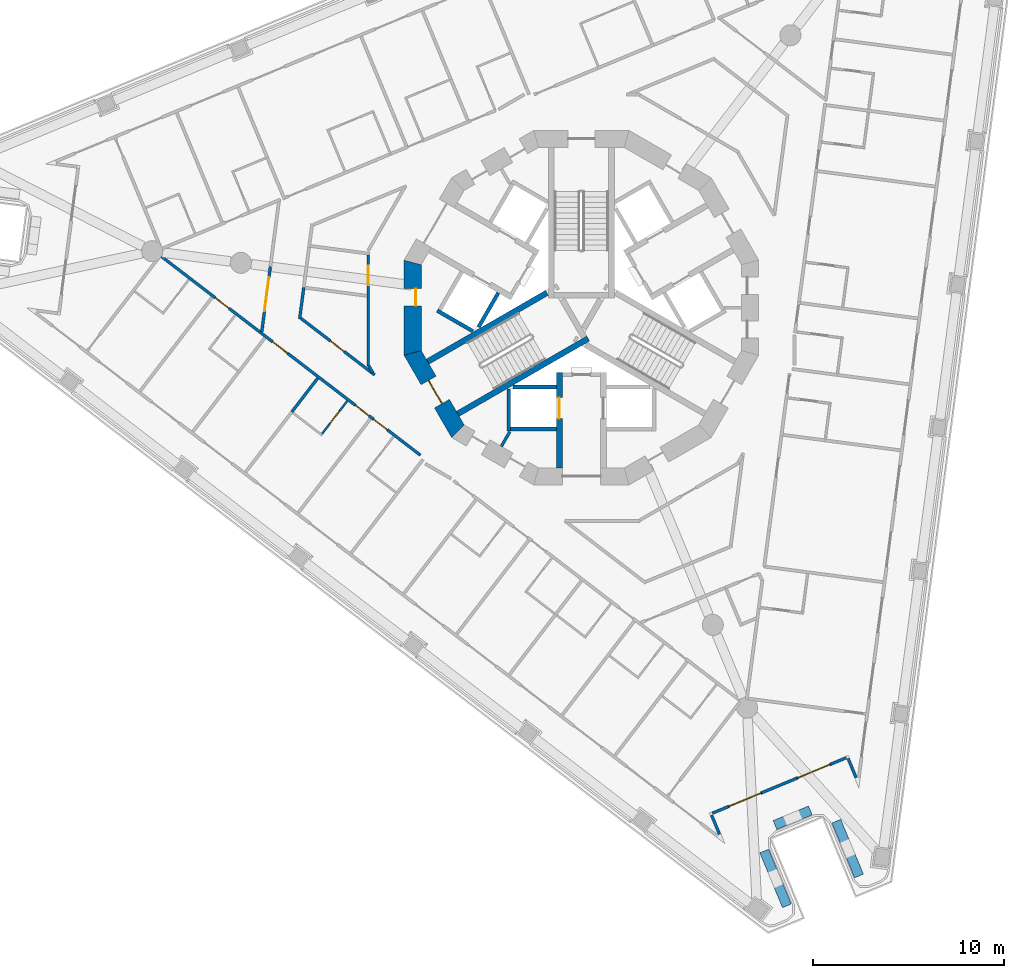
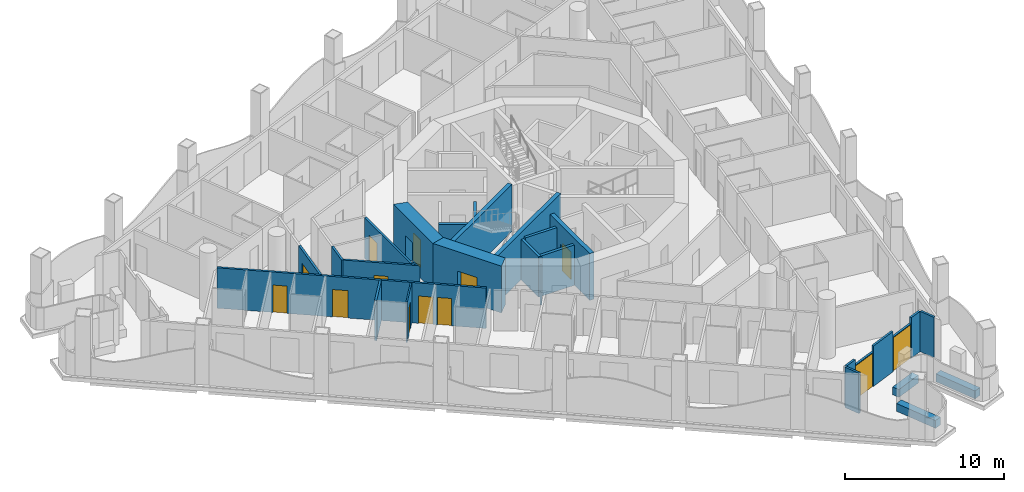
# One storey, part 3 of 17: 29 walls, 13 doors, 13 openings.
"""IFC4 building model written with IfcOpenShell, lengths in metres."""

from ifc_helpers import new_model, si_unit, direction, frame, frame_2d, origin, place, context, subcontext, project, spatial, polyline, rectangle, outline, extrude, material, layer, layer_set, type_object, element, fill, save


model = new_model("IFC4")

# Units and contexts
model_context = context("Model", 3, precision=1e-05, world=origin(), true_north=direction((0.0, 1.0)))
body_context = subcontext(model_context, "Body", "Model", "MODEL_VIEW")
ifc_project = project(units=[si_unit("LENGTHUNIT", "METRE"), si_unit("AREAUNIT", "SQUARE_METRE"), si_unit("VOLUMEUNIT", "CUBIC_METRE"), si_unit("PLANEANGLEUNIT", "RADIAN"), si_unit("MASSUNIT", "GRAM", prefix="KILO")], contexts=[model_context])

# Site, building, storey
site_placement = place(None, origin())
site = spatial("IfcSite", under=ifc_project, at=site_placement, CompositionType="ELEMENT")
building_placement = place(site_placement, origin())
building = spatial("IfcBuilding", under=site, at=building_placement, Name="Trine Commons Tower", CompositionType="ELEMENT")
storey_placement = place(building_placement, frame((0.0, 0.0, 153.0)))
storey = spatial("IfcBuildingStorey", under=building, at=storey_placement, Name="L39", CompositionType="ELEMENT", Elevation=153.0)

# Walls
ifc_material_1 = material(Name="Plasterboard partition on steel studs", Category="steel")
ifc_layer_1 = layer(ifc_material_1, 0.14990234375)
ifc_layer_set_1 = layer_set([ifc_layer_1], Name="Plasterboard partition on steel studs")
wall_type_1 = type_object("IfcWallType", Name="Core room partition 150 mm, EI 60", PredefinedType="PARTITIONING", material=ifc_layer_set_1)
wall_1_placement = place(storey_placement, frame((75.81396484375, 55.2490234375, 0.0), z_axis=(0.0, 0.0, 1.0), x_axis=(0.499890179513, 0.866088799389, 0.0)))
element("IfcWall", 1, at=wall_1_placement, inside=storey, type_object=wall_type_1, Name="Core room partition L39", PredefinedType="PARTITIONING", context=body_context, shape_type="SweptSolid", body=[
    extrude(rectangle(XDim=0.882080078125, YDim=0.14990234375, at=frame_2d((0.44091796875, 0.0))), origin(), (0.0, 0.0, 1.0), 3.10009765625),
])
ifc_material_2 = material(Name="Aluminium-framed insulated wall panel", Category="aluminium")
ifc_layer_2 = layer(ifc_material_2, 0.14990234375)
ifc_layer_set_2 = layer_set([ifc_layer_2], Name="Aluminium-framed insulated wall panel")
wall_type_2 = type_object("IfcWallType", Name="Glazed frame wall 150, EI 60", PredefinedType="SOLIDWALL", material=ifc_layer_set_2)
wall_2_placement = place(storey_placement, frame((94.42041015625, 37.78564453125, 0.0), z_axis=(0.0, 0.0, 1.0), x_axis=(-0.382629665579, 0.923901801611, 0.0)))
element("IfcWall", 2, at=wall_2_placement, inside=storey, type_object=wall_type_2, Name="Glazed frame wall R9", PredefinedType="SOLIDWALL", context=body_context, shape_type="SweptSolid", body=[
    extrude(outline(polyline([(0.1494140625, 0.074951171875), (0.1494140625, -0.074951171875), (1.235107421875, -0.074951171875), (1.235107421875, 0.074951171875), (0.1494140625, 0.074951171875)])), origin(), (0.0, 0.0, 1.0), 3.10009765625),
])
wall_3_placement = place(storey_placement, frame((93.951416015625, 39.009521484375, 0.0), z_axis=(0.0, 0.0, 1.0), x_axis=(-0.923826362943, -0.382811769845, 0.0)))
element("IfcWall", 3, at=wall_3_placement, inside=storey, type_object=wall_type_2, Name="Glazed frame wall P3.1", PredefinedType="SOLIDWALL", context=body_context, shape_type="SweptSolid", body=[
    extrude(outline(polyline([(0.110107421875, -0.074951171875), (1.0, -0.074951171875), (1.0, 0.074951171875), (0.110107421875, 0.074951171875), (0.110107421875, -0.074951171875)])), origin(), (0.0, 0.0, 1.0), 3.10009765625),
])

# Wall, opening, door
wall_4_placement = place(storey_placement, frame((93.027587890625, 38.626708984375, 0.0), z_axis=(0.0, 0.0, 1.0), x_axis=(-0.923888414498, -0.382661988648, 0.0)))
wall_4 = element("IfcWall", 4, at=wall_4_placement, inside=storey, type_object=wall_type_2, Name="Glazed frame wall P3.2", PredefinedType="SOLIDWALL", context=body_context, shape_type="SweptSolid", body=[
    extrude(outline(polyline([(0.0, -0.074951171875), (1.89990234375, -0.074951171875), (1.89990234375, 0.074951171875), (0.0, 0.074951171875), (0.0, -0.074951171875)])), origin(), (0.0, 0.0, 1.0), 2.64990234375),
])
opening_1_placement = place(wall_4_placement, frame((0.050048828125, 0.0, 0.0)))
opening_1 = element("IfcOpeningElement", 5, at=opening_1_placement, cuts=wall_4, Name="Opening BD-4P3-01", PredefinedType="OPENING", context=body_context, shape_type="SweptSolid", body=[
    extrude(rectangle(XDim=1.800048828125, YDim=2.60009765625, at=frame_2d((0.89990234375, 1.300048828125))), frame((0.0, 0.0849609375, 0.0), z_axis=(0.0, -1.0, 0.0), x_axis=(1.0, 0.0, 0.0)), (0.0, 0.0, 1.0), 0.169921875),
])
ifc_material_3 = material(Name="Anodised aluminium frame with double glazing", Category="aluminium")
door_type_1 = type_object("IfcDoorType", Name="Sliding loggia door 1800x2600", OperationType="SLIDING_TO_LEFT", PredefinedType="DOOR", material=ifc_material_3)
door_1_placement = place(opening_1_placement, origin())
door_1 = element("IfcDoor", 6, at=door_1_placement, inside=storey, type_object=door_type_1, Name="Loggia door P3 1", OperationType="SLIDING_TO_LEFT", OverallHeight=2.60009765625, OverallWidth=1.800048828125, PredefinedType="DOOR", context=body_context, shape_type="SweptSolid", body=[
    extrude(rectangle(XDim=1.800048828125, YDim=2.60009765625, at=frame_2d((0.89990234375, 1.300048828125))), frame((0.0, 0.02490234375, 0.0), z_axis=(0.0, -1.0, 0.0), x_axis=(1.0, 0.0, 0.0)), (0.0, 0.0, 1.0), 0.050048828125),
])
fill(opening_1, door_1)

# Wall
wall_5_placement = place(storey_placement, frame((91.272216796875, 37.899658203125, 0.0), z_axis=(0.0, 0.0, 1.0), x_axis=(-0.923887406181, -0.382664423091, 0.0)))
element("IfcWall", 7, at=wall_5_placement, inside=storey, type_object=wall_type_2, Name="Glazed frame wall P3.3", PredefinedType="SOLIDWALL", context=body_context, shape_type="SweptSolid", body=[
    extrude(outline(polyline([(0.0, -0.074951171875), (2.0, -0.074951171875), (2.0, 0.074951171875), (0.0, 0.074951171875), (0.0, -0.074951171875)])), origin(), (0.0, 0.0, 1.0), 3.10009765625),
])

# Wall, opening, door
wall_6_placement = place(storey_placement, frame((89.42431640625, 37.13427734375, 0.0), z_axis=(0.0, 0.0, 1.0), x_axis=(-0.923869595408, -0.382707421773, 0.0)))
wall_6 = element("IfcWall", 8, at=wall_6_placement, inside=storey, type_object=wall_type_2, Name="Glazed frame wall P3.4", PredefinedType="SOLIDWALL", context=body_context, shape_type="SweptSolid", body=[
    extrude(outline(polyline([(0.0, -0.074951171875), (1.89990234375, -0.074951171875), (1.89990234375, 0.074951171875), (0.0, 0.074951171875), (0.0, -0.074951171875)])), origin(), (0.0, 0.0, 1.0), 2.64990234375),
])
opening_2_placement = place(wall_6_placement, frame((0.050048828125, 0.0, 0.0)))
opening_2 = element("IfcOpeningElement", 9, at=opening_2_placement, cuts=wall_6, Name="Opening BD-4P3-02", PredefinedType="OPENING", context=body_context, shape_type="SweptSolid", body=[
    extrude(rectangle(XDim=1.800048828125, YDim=2.60009765625, at=frame_2d((0.89990234375, 1.300048828125))), frame((0.0, 0.0849609375, 0.0), z_axis=(0.0, -1.0, 0.0), x_axis=(1.0, 0.0, 0.0)), (0.0, 0.0, 1.0), 0.169921875),
])
door_2_placement = place(opening_2_placement, origin())
door_2 = element("IfcDoor", 10, at=door_2_placement, inside=storey, type_object=door_type_1, Name="Loggia door P3 2", OperationType="SLIDING_TO_LEFT", OverallHeight=2.60009765625, OverallWidth=1.800048828125, PredefinedType="DOOR", context=body_context, shape_type="SweptSolid", body=[
    extrude(rectangle(XDim=1.800048828125, YDim=2.60009765625, at=frame_2d((0.89990234375, 1.300048828125))), frame((0.0, 0.02490234375, 0.0), z_axis=(0.0, -1.0, 0.0), x_axis=(1.0, 0.0, 0.0)), (0.0, 0.0, 1.0), 0.050048828125),
])
fill(opening_2, door_2)

# Walls
wall_7_placement = place(storey_placement, frame((87.669189453125, 36.4072265625, 0.0), z_axis=(0.0, 0.0, 1.0), x_axis=(-0.923862128325, -0.382725447084, 0.0)))
element("IfcWall", 11, at=wall_7_placement, inside=storey, type_object=wall_type_2, Name="Glazed frame wall P3.5", PredefinedType="SOLIDWALL", context=body_context, shape_type="SweptSolid", body=[
    extrude(outline(polyline([(0.889892578125, 0.074951171875), (0.0, 0.074951171875), (0.0, -0.074951171875), (0.889892578125, -0.074951171875), (0.889892578125, 0.074951171875)])), origin(), (0.0, 0.0, 1.0), 3.10009765625),
])
wall_8_placement = place(storey_placement, frame((86.76416015625, 36.0703125, 0.0), z_axis=(0.0, 0.0, 1.0), x_axis=(0.382629665579, -0.923901801611, 0.0)))
element("IfcWall", 12, at=wall_8_placement, inside=storey, type_object=wall_type_2, Name="Glazed frame wall R11", PredefinedType="SOLIDWALL", context=body_context, shape_type="SweptSolid", body=[
    extrude(outline(polyline([(0.110107421875, 0.074951171875), (0.110107421875, -0.074951171875), (1.19580078125, -0.074951171875), (1.19580078125, 0.074951171875), (0.110107421875, 0.074951171875)])), origin(), (0.0, 0.0, 1.0), 3.10009765625),
])
ifc_material_4 = material(Name="Planter trough, precast concrete C40/50", Category="concrete")
ifc_layer_3 = layer(ifc_material_4, 0.5)
ifc_layer_set_3 = layer_set([ifc_layer_3], Name="Planter trough, precast concrete C40/50")
wall_type_3 = type_object("IfcWallType", Name="Planter trough 500x600", PredefinedType="PARAPET", material=ifc_layer_set_3)
wall_9_placement = place(storey_placement, frame((94.515625, 32.78662109375, 0.0), z_axis=(0.0, 0.0, 1.0), x_axis=(-0.382674068277, 0.923883411188, 0.0)))
element("IfcWall", 13, at=wall_9_placement, inside=storey, type_object=wall_type_3, Name="Planter 7", PredefinedType="PARAPET", context=body_context, shape_type="SweptSolid", body=[
    extrude(rectangle(XDim=3.099853515625, YDim=0.5, at=frame_2d((1.5498046875, 0.0))), origin(), (0.0, 0.0, 1.0), 0.60009765625),
])
wall_10_placement = place(storey_placement, frame((91.970703125, 36.21337890625, 0.0), z_axis=(0.0, 0.0, 1.0), x_axis=(-0.923930555985, -0.382560227567, 0.0)))
element("IfcWall", 14, at=wall_10_placement, inside=storey, type_object=wall_type_3, Name="Planter 8", PredefinedType="PARAPET", context=body_context, shape_type="SweptSolid", body=[
    extrude(rectangle(XDim=2.0, YDim=0.5, at=frame_2d((1.0, 0.0))), origin(), (0.0, 0.0, 1.0), 0.60009765625),
])
wall_11_placement = place(storey_placement, frame((89.56005859375, 34.08935546875, 0.0), z_axis=(0.0, 0.0, 1.0), x_axis=(0.382674068277, -0.923883411188, 0.0)))
element("IfcWall", 15, at=wall_11_placement, inside=storey, type_object=wall_type_3, Name="Planter 9", PredefinedType="PARAPET", context=body_context, shape_type="SweptSolid", body=[
    extrude(rectangle(XDim=3.099853515625, YDim=0.5, at=frame_2d((1.5498046875, 0.0))), origin(), (0.0, 0.0, 1.0), 0.60009765625),
])

# Wall, opening, door
ifc_material_5 = material(Name="Concrete C70/85", Category="concrete")
ifc_layer_4 = layer(ifc_material_5, 0.300048828125)
ifc_layer_set_4 = layer_set([ifc_layer_4], Name="Concrete C70/85")
wall_type_4 = type_object("IfcWallType", Name="RC shear wall 300 mm, C70/85", PredefinedType="SHEAR", material=ifc_layer_set_4)
wall_12_placement = place(storey_placement, frame((78.85009765625, 59.10009765625, 0.0), z_axis=(0.0, 0.0, 1.0), x_axis=(0.0, -1.0, 0.0)))
wall_12 = element("IfcWall", 16, at=wall_12_placement, inside=storey, type_object=wall_type_4, Name="Core cross wall SWB-03 L39", PredefinedType="SHEAR", context=body_context, shape_type="SweptSolid", body=[
    extrude(rectangle(XDim=4.97314453125, YDim=0.300048828125, at=frame_2d((2.486572265625, 0.0))), origin(), (0.0, 0.0, 1.0), 3.60009765625),
])
opening_3_placement = place(wall_12_placement, frame((1.300048828125, 0.0, 0.0)))
opening_3 = element("IfcOpeningElement", 17, at=opening_3_placement, cuts=wall_12, Name="Opening LD10", PredefinedType="OPENING", context=body_context, shape_type="SweptSolid", body=[
    extrude(rectangle(XDim=1.10009765625, YDim=2.10009765625, at=frame_2d((0.550048828125, 1.050048828125))), frame((0.0, 0.159912109375, 0.0), z_axis=(0.0, -1.0, 0.0), x_axis=(1.0, 0.0, 0.0)), (0.0, 0.0, 1.0), 0.320068359375),
])
ifc_material_6 = material(Name="Stainless steel sliding door leaves", Category="steel")
door_type_2 = type_object("IfcDoorType", Name="Lift landing door, centre-opening sliding 1100 x 2100, FD90", OperationType="DOUBLE_DOOR_SLIDING", PredefinedType="DOOR", material=ifc_material_6)
door_3_placement = place(opening_3_placement, origin())
door_3 = element("IfcDoor", 18, at=door_3_placement, inside=storey, type_object=door_type_2, Name="Lift landing door FF2 L39", OperationType="DOUBLE_DOOR_SLIDING", OverallHeight=2.10009765625, OverallWidth=1.10009765625, PredefinedType="DOOR", context=body_context, shape_type="SweptSolid", body=[
    extrude(rectangle(XDim=1.10009765625, YDim=2.10009765625, at=frame_2d((0.550048828125, 1.050048828125))), frame((0.0, 0.02490234375, 0.0), z_axis=(0.0, -1.0, 0.0), x_axis=(1.0, 0.0, 0.0)), (0.0, 0.0, 1.0), 0.050048828125),
])
fill(opening_3, door_3)

# Walls
wall_13_placement = place(storey_placement, frame((78.199951171875, 63.280029296875, 0.0), z_axis=(0.0, 0.0, 1.0), x_axis=(-0.866028135082, -0.499995269223, 0.0)))
element("IfcWall", 19, at=wall_13_placement, inside=storey, type_object=wall_type_4, Name="Core cross wall SWB-07 L39", PredefinedType="SHEAR", context=body_context, shape_type="SweptSolid", body=[
    extrude(rectangle(XDim=7.2041015625, YDim=0.300048828125, at=frame_2d((3.60205078125, 0.0))), origin(), (0.0, 0.0, 1.0), 3.60009765625),
])
wall_14_placement = place(storey_placement, frame((80.35400390625, 60.885986328125, 0.0), z_axis=(0.0, 0.0, 1.0), x_axis=(-0.866047706748, -0.499961368145, 0.0)))
element("IfcWall", 20, at=wall_14_placement, inside=storey, type_object=wall_type_4, Name="Core cross wall SWB-14 L39", PredefinedType="SHEAR", context=body_context, shape_type="SweptSolid", body=[
    extrude(rectangle(XDim=7.87255859375, YDim=0.300048828125, at=frame_2d((3.936279296875, 0.0))), origin(), (0.0, 0.0, 1.0), 3.60009765625),
])

# Wall, opening, door
ifc_layer_5 = layer(ifc_material_5, 0.89990234375)
ifc_layer_set_5 = layer_set([ifc_layer_5], Name="Concrete C70/85")
wall_type_5 = type_object("IfcWallType", Name="RC shear wall 900 mm, C70/85", PredefinedType="SHEAR", material=ifc_layer_set_5)
wall_15_placement = place(storey_placement, frame((71.177001953125, 64.984619140625, 0.0), z_axis=(0.0, 0.0, 1.0), x_axis=(0.0, -1.0, 0.0)))
wall_15 = element("IfcWall", 21, at=wall_15_placement, inside=storey, type_object=wall_type_5, Name="Core wall CWD-07 L39", PredefinedType="SHEAR", context=body_context, shape_type="SweptSolid", body=[
    extrude(outline(polyline([(0.0, -0.449951171875), (4.969482421875, -0.449951171875), (4.728271484375, 0.449951171875), (0.2412109375, 0.449951171875), (0.0, -0.449951171875)])), origin(), (0.0, 0.0, 1.0), 3.60009765625),
])
opening_4_placement = place(wall_15_placement, frame((1.49365234375, 0.0, 0.0)))
opening_4 = element("IfcOpeningElement", 22, at=opening_4_placement, cuts=wall_15, Name="Opening K10.15", PredefinedType="OPENING", context=body_context, shape_type="SweptSolid", body=[
    extrude(rectangle(XDim=0.89990234375, YDim=2.10009765625, at=frame_2d((0.449951171875, 1.050048828125))), frame((0.0, 0.4599609375, 0.0), z_axis=(0.0, -1.0, 0.0), x_axis=(1.0, 0.0, 0.0)), (0.0, 0.0, 1.0), 0.919921875),
])
ifc_material_7 = material(Name="Steel door leaf, fire-rated", Category="steel")
door_type_3 = type_object("IfcDoorType", Name="Core room door, single leaf 900 x 2100, FD30S", OperationType="SINGLE_SWING_LEFT", PredefinedType="DOOR", material=ifc_material_7)
door_4_placement = place(opening_4_placement, origin())
door_4 = element("IfcDoor", 23, at=door_4_placement, inside=storey, type_object=door_type_3, Name="Door to Cleaner's store L39", OperationType="SINGLE_SWING_LEFT", OverallHeight=2.10009765625, OverallWidth=0.89990234375, PredefinedType="DOOR", context=body_context, shape_type="SweptSolid", body=[
    extrude(rectangle(XDim=0.89990234375, YDim=2.10009765625, at=frame_2d((0.449951171875, 1.050048828125))), frame((0.0, 0.1748046875, 0.0), z_axis=(0.0, -1.0, 0.0), x_axis=(1.0, 0.0, 0.0)), (0.0, 0.0, 1.0), 0.050048828125),
])
fill(opening_4, door_4)

wall_16_placement = place(storey_placement, frame((71.11669921875, 60.240234375, 0.0), z_axis=(0.0, 0.0, 1.0), x_axis=(0.500038571144, -0.866003133579, 0.0)))
wall_16 = element("IfcWall", 24, at=wall_16_placement, inside=storey, type_object=wall_type_5, Name="Core wall CWD-08 L39", PredefinedType="SHEAR", context=body_context, shape_type="SweptSolid", body=[
    extrude(outline(polyline([(0.0, -0.449951171875), (4.96923828125, -0.449951171875), (4.72802734375, 0.449951171875), (0.2412109375, 0.449951171875), (0.0, -0.449951171875)])), origin(), (0.0, 0.0, 1.0), 3.60009765625),
])
opening_5_placement = place(wall_16_placement, frame((1.78466796875, 0.0, 0.0)))
opening_5 = element("IfcOpeningElement", 25, at=opening_5_placement, cuts=wall_16, Name="Opening K10.02", PredefinedType="OPENING", context=body_context, shape_type="SweptSolid", body=[
    extrude(rectangle(XDim=1.39990234375, YDim=2.10009765625, at=frame_2d((0.699951171875, 1.050048828125))), frame((0.0, 0.4599609375, 0.0), z_axis=(0.0, -1.0, 0.0), x_axis=(1.0, 0.0, 0.0)), (0.0, 0.0, 1.0), 0.919921875),
])
ifc_material_8 = material(Name="Steel door leaves, fire-rated", Category="steel")
door_type_4 = type_object("IfcDoorType", Name="Stair door, double leaf 1400 x 2100, FD90", OperationType="DOUBLE_DOOR_SINGLE_SWING", PredefinedType="DOOR", material=ifc_material_8)
door_5_placement = place(opening_5_placement, origin())
door_5 = element("IfcDoor", 26, at=door_5_placement, inside=storey, type_object=door_type_4, Name="Stair door to Exit stair ST2B L39", OperationType="DOUBLE_DOOR_SINGLE_SWING", OverallHeight=2.10009765625, OverallWidth=1.39990234375, PredefinedType="DOOR", context=body_context, shape_type="SweptSolid", body=[
    extrude(rectangle(XDim=1.39990234375, YDim=2.10009765625, at=frame_2d((0.699951171875, 1.050048828125))), frame((0.0, 0.02490234375, 0.0), z_axis=(0.0, -1.0, 0.0), x_axis=(1.0, 0.0, 0.0)), (0.0, 0.0, 1.0), 0.050048828125),
])
fill(opening_5, door_5)

# Walls
ifc_material_9 = material(Name="Fire-rated gypsum shaft wall system")
ifc_layer_6 = layer(ifc_material_9, 0.199951171875)
ifc_layer_set_6 = layer_set([ifc_layer_6], Name="Fire-rated gypsum shaft wall system")
wall_type_6 = type_object("IfcWallType", Name="Shaft wall 200 mm, EI 120", PredefinedType="PARTITIONING", material=ifc_layer_set_6)
wall_17_placement = place(storey_placement, frame((74.324951171875, 61.27392578125, 0.0), z_axis=(0.0, 0.0, 1.0), x_axis=(-0.866102336459, 0.499866725018, 0.0)))
element("IfcWall", 27, at=wall_17_placement, inside=storey, type_object=wall_type_6, Name="Shaft wall L39", PredefinedType="PARTITIONING", context=body_context, shape_type="SweptSolid", body=[
    extrude(rectangle(XDim=2.1484375, YDim=0.199951171875, at=frame_2d((1.07421875, 0.0))), origin(), (0.0, 0.0, 1.0), 3.10009765625),
])
wall_18_placement = place(storey_placement, frame((75.656005859375, 63.27587890625, 0.0), z_axis=(0.0, 0.0, 1.0), x_axis=(-0.500271688072, -0.86586848777, 0.0)))
element("IfcWall", 28, at=wall_18_placement, inside=storey, type_object=wall_type_6, Name="Shaft wall L39", PredefinedType="PARTITIONING", context=body_context, shape_type="SweptSolid", body=[
    extrude(rectangle(XDim=2.064697265625, YDim=0.199951171875, at=frame_2d((1.0322265625, 0.0))), origin(), (0.0, 0.0, 1.0), 3.10009765625),
])
wall_19_placement = place(storey_placement, frame((76.199951171875, 58.257080078125, 0.0), z_axis=(0.0, 0.0, 1.0), x_axis=(0.0, -1.0, 0.0)))
element("IfcWall", 29, at=wall_19_placement, inside=storey, type_object=wall_type_6, Name="Shaft wall L39", PredefinedType="PARTITIONING", context=body_context, shape_type="SweptSolid", body=[
    extrude(rectangle(XDim=2.20703125, YDim=0.199951171875, at=frame_2d((1.103515625, 0.0))), origin(), (0.0, 0.0, 1.0), 3.10009765625),
])
wall_20_placement = place(storey_placement, frame((78.699951171875, 56.14990234375, 0.0), z_axis=(0.0, 0.0, 1.0), x_axis=(-1.0, 0.0, 0.0)))
element("IfcWall", 30, at=wall_20_placement, inside=storey, type_object=wall_type_6, Name="Shaft wall L39", PredefinedType="PARTITIONING", context=body_context, shape_type="SweptSolid", body=[
    extrude(rectangle(XDim=2.39990234375, YDim=0.199951171875, at=frame_2d((1.199951171875, 0.0))), origin(), (0.0, 0.0, 1.0), 3.10009765625),
])
wall_21_placement = place(storey_placement, frame((78.699951171875, 58.35009765625, 0.0), z_axis=(0.0, 0.0, 1.0), x_axis=(-1.0, 0.0, 0.0)))
element("IfcWall", 31, at=wall_21_placement, inside=storey, type_object=wall_type_6, Name="Shaft wall L39", PredefinedType="PARTITIONING", context=body_context, shape_type="SweptSolid", body=[
    extrude(rectangle(XDim=2.264892578125, YDim=0.199951171875, at=frame_2d((1.13232421875, 0.0))), origin(), (0.0, 0.0, 1.0), 3.10009765625),
])

# Wall, openings, doors
ifc_material_10 = material(Name="Gypsum plasterboard on steel stud", Category="steel")
ifc_layer_7 = layer(ifc_material_10, 0.14990234375)
ifc_layer_set_7 = layer_set([ifc_layer_7], Name="Gypsum plasterboard on steel stud")
wall_type_7 = type_object("IfcWallType", Name="Unit and corridor wall 150 mm, EI 60", PredefinedType="PARTITIONING", material=ifc_layer_set_7)
wall_22_placement = place(storey_placement, frame((58.04150390625, 65.17626953125, 0.0), z_axis=(0.0, 0.0, 1.0), x_axis=(0.793390311924, -0.608713243609, 0.0)))
wall_22 = element("IfcWall", 32, at=wall_22_placement, inside=storey, type_object=wall_type_7, Name="Partition 006", PredefinedType="PARTITIONING", context=body_context, shape_type="SweptSolid", body=[
    extrude(rectangle(XDim=17.064208984375, YDim=0.14990234375, at=frame_2d((8.5322265625, 0.0))), origin(), (0.0, 0.0, 1.0), 3.10009765625),
])
opening_6_placement = place(wall_22_placement, frame((13.98388671875, 0.0, 0.0)))
opening_6 = element("IfcOpeningElement", 33, at=opening_6_placement, cuts=wall_22, Name="Opening D-4C28", PredefinedType="OPENING", context=body_context, shape_type="SweptSolid", body=[
    extrude(rectangle(XDim=0.89990234375, YDim=2.10009765625, at=frame_2d((0.449951171875, 1.050048828125))), frame((0.0, 0.0849609375, 0.0), z_axis=(0.0, -1.0, 0.0), x_axis=(1.0, 0.0, 0.0)), (0.0, 0.0, 1.0), 0.169921875),
])
opening_7_placement = place(wall_22_placement, frame((12.7841796875, 0.0, 0.0)))
opening_7 = element("IfcOpeningElement", 34, at=opening_7_placement, cuts=wall_22, Name="Opening D-4C29", PredefinedType="OPENING", context=body_context, shape_type="SweptSolid", body=[
    extrude(rectangle(XDim=0.89990234375, YDim=2.10009765625, at=frame_2d((0.449951171875, 1.050048828125))), frame((0.0, 0.0849609375, 0.0), z_axis=(0.0, -1.0, 0.0), x_axis=(1.0, 0.0, 0.0)), (0.0, 0.0, 1.0), 0.169921875),
])
opening_8_placement = place(wall_22_placement, frame((7.32177734375, 0.0, 0.0)))
opening_8 = element("IfcOpeningElement", 35, at=opening_8_placement, cuts=wall_22, Name="Opening D-4C30", PredefinedType="OPENING", context=body_context, shape_type="SweptSolid", body=[
    extrude(rectangle(XDim=1.0, YDim=2.10009765625, at=frame_2d((0.5, 1.050048828125))), frame((0.0, 0.0849609375, 0.0), z_axis=(0.0, -1.0, 0.0), x_axis=(1.0, 0.0, 0.0)), (0.0, 0.0, 1.0), 0.169921875),
])
opening_9_placement = place(wall_22_placement, frame((3.55126953125, 0.0, 0.0)))
opening_9 = element("IfcOpeningElement", 36, at=opening_9_placement, cuts=wall_22, Name="Opening D-4C31", PredefinedType="OPENING", context=body_context, shape_type="SweptSolid", body=[
    extrude(rectangle(XDim=0.89990234375, YDim=2.10009765625, at=frame_2d((0.449951171875, 1.050048828125))), frame((0.0, 0.0849609375, 0.0), z_axis=(0.0, -1.0, 0.0), x_axis=(1.0, 0.0, 0.0)), (0.0, 0.0, 1.0), 0.169921875),
])
ifc_material_11 = material(Name="Painted timber", Category="wood")
door_type_5 = type_object("IfcDoorType", Name="Amenity room door 1000 x 2100, NOT RATED", OperationType="NOTDEFINED", PredefinedType="DOOR", material=ifc_material_11)
door_6_placement = place(opening_8_placement, frame((1.0, 0.0, 0.0), z_axis=(0.0, 0.0, 1.0), x_axis=(-1.0, 0.0, 0.0)))
door_6 = element("IfcDoor", 37, at=door_6_placement, inside=storey, type_object=door_type_5, Name="Door D-4C30", OperationType="SINGLE_SWING_RIGHT", OverallHeight=2.10009765625, OverallWidth=1.0, PredefinedType="DOOR", context=body_context, shape_type="SweptSolid", body=[
    extrude(rectangle(XDim=1.0, YDim=2.10009765625, at=frame_2d((0.5, 1.050048828125))), frame((0.0, 0.02490234375, 0.0), z_axis=(0.0, -1.0, 0.0), x_axis=(1.0, 0.0, 0.0)), (0.0, 0.0, 1.0), 0.050048828125),
])
fill(opening_8, door_6)
ifc_material_12 = material(Name="Timber fire door set", Category="wood")
door_type_6 = type_object("IfcDoorType", Name="Bedroom door 900 x 2100, FD30S", OperationType="NOTDEFINED", PredefinedType="DOOR", material=ifc_material_12)
door_7_placement = place(opening_6_placement, frame((0.89990234375, 0.0, 0.0), z_axis=(0.0, 0.0, 1.0), x_axis=(-1.0, 0.0, 0.0)))
door_7 = element("IfcDoor", 38, at=door_7_placement, inside=storey, type_object=door_type_6, Name="Door D-4C28", OperationType="SINGLE_SWING_LEFT", OverallHeight=2.10009765625, OverallWidth=0.89990234375, PredefinedType="DOOR", context=body_context, shape_type="SweptSolid", body=[
    extrude(rectangle(XDim=0.89990234375, YDim=2.10009765625, at=frame_2d((0.449951171875, 1.050048828125))), frame((0.0, 0.02490234375, 0.0), z_axis=(0.0, -1.0, 0.0), x_axis=(1.0, 0.0, 0.0)), (0.0, 0.0, 1.0), 0.050048828125),
])
fill(opening_6, door_7)
door_8_placement = place(opening_7_placement, frame((0.89990234375, 0.0, 0.0), z_axis=(0.0, 0.0, 1.0), x_axis=(-1.0, 0.0, 0.0)))
door_8 = element("IfcDoor", 39, at=door_8_placement, inside=storey, type_object=door_type_6, Name="Door D-4C29", OperationType="SINGLE_SWING_LEFT", OverallHeight=2.10009765625, OverallWidth=0.89990234375, PredefinedType="DOOR", context=body_context, shape_type="SweptSolid", body=[
    extrude(rectangle(XDim=0.89990234375, YDim=2.10009765625, at=frame_2d((0.449951171875, 1.050048828125))), frame((0.0, 0.02490234375, 0.0), z_axis=(0.0, -1.0, 0.0), x_axis=(1.0, 0.0, 0.0)), (0.0, 0.0, 1.0), 0.050048828125),
])
fill(opening_7, door_8)
door_9_placement = place(opening_9_placement, frame((0.89990234375, 0.0, 0.0), z_axis=(0.0, 0.0, 1.0), x_axis=(-1.0, 0.0, 0.0)))
door_9 = element("IfcDoor", 40, at=door_9_placement, inside=storey, type_object=door_type_6, Name="Door D-4C31", OperationType="SINGLE_SWING_RIGHT", OverallHeight=2.10009765625, OverallWidth=0.89990234375, PredefinedType="DOOR", context=body_context, shape_type="SweptSolid", body=[
    extrude(rectangle(XDim=0.89990234375, YDim=2.10009765625, at=frame_2d((0.449951171875, 1.050048828125))), frame((0.0, 0.02490234375, 0.0), z_axis=(0.0, -1.0, 0.0), x_axis=(1.0, 0.0, 0.0)), (0.0, 0.0, 1.0), 0.050048828125),
])
fill(opening_9, door_9)

# Wall, opening, door
wall_23_placement = place(storey_placement, frame((63.286865234375, 61.2333984375, 0.0), z_axis=(0.0, 0.0, 1.0), x_axis=(0.130693367383, 0.991422838007, 0.0)))
wall_23 = element("IfcWall", 41, at=wall_23_placement, inside=storey, type_object=wall_type_7, Name="Partition 020", PredefinedType="PARTITIONING", context=body_context, shape_type="SweptSolid", body=[
    extrude(rectangle(XDim=3.437255859375, YDim=0.14990234375, at=frame_2d((1.71875, 0.0))), origin(), (0.0, 0.0, 1.0), 3.10009765625),
])
opening_10_placement = place(wall_23_placement, frame((1.0859375, 0.0, 0.0)))
opening_10 = element("IfcOpeningElement", 42, at=opening_10_placement, cuts=wall_23, Name="Opening D-4C03", PredefinedType="OPENING", context=body_context, shape_type="SweptSolid", body=[
    extrude(rectangle(XDim=1.800048828125, YDim=2.10009765625, at=frame_2d((0.89990234375, 1.050048828125))), frame((0.0, 0.0849609375, 0.0), z_axis=(0.0, -1.0, 0.0), x_axis=(1.0, 0.0, 0.0)), (0.0, 0.0, 1.0), 0.169921875),
])
door_type_7 = type_object("IfcDoorType", Name="Cluster entrance door 1800 x 2100, double leaf, FD30S", OperationType="DOUBLE_DOOR_DOUBLE_SWING", PredefinedType="DOOR", material=ifc_material_12)
door_10_placement = place(opening_10_placement, origin())
door_10 = element("IfcDoor", 43, at=door_10_placement, inside=storey, type_object=door_type_7, Name="Door D-4C03", OperationType="DOUBLE_DOOR_DOUBLE_SWING", OverallHeight=2.10009765625, OverallWidth=1.800048828125, PredefinedType="DOOR", context=body_context, shape_type="SweptSolid", body=[
    extrude(rectangle(XDim=1.800048828125, YDim=2.10009765625, at=frame_2d((0.89990234375, 1.050048828125))), frame((0.0, 0.02490234375, 0.0), z_axis=(0.0, -1.0, 0.0), x_axis=(1.0, 0.0, 0.0)), (0.0, 0.0, 1.0), 0.050048828125),
])
fill(opening_10, door_10)

# Walls
wall_24_placement = place(storey_placement, frame((64.85791015625, 57.047119140625, 0.0), z_axis=(0.0, 0.0, 1.0), x_axis=(0.608724036588, 0.793382031105, 0.0)))
element("IfcWall", 44, at=wall_24_placement, inside=storey, type_object=wall_type_7, Name="Partition 025", PredefinedType="PARTITIONING", context=body_context, shape_type="SweptSolid", body=[
    extrude(rectangle(XDim=2.22509765625, YDim=0.14990234375, at=frame_2d((1.112548828125, 0.0))), origin(), (0.0, 0.0, 1.0), 3.10009765625),
])
wall_25_placement = place(storey_placement, frame((65.26708984375, 61.91259765625, 0.0), z_axis=(0.0, 0.0, 1.0), x_axis=(0.130621934677, 0.991432251937, 0.0)))
element("IfcWall", 45, at=wall_25_placement, inside=storey, type_object=wall_type_7, Name="Partition 028", PredefinedType="PARTITIONING", context=body_context, shape_type="SweptSolid", body=[
    extrude(rectangle(XDim=1.65966796875, YDim=0.14990234375, at=frame_2d((0.829833984375, 0.0))), origin(), (0.0, 0.0, 1.0), 3.10009765625),
])

# Wall, opening, door
wall_26_placement = place(storey_placement, frame((65.33642578125, 61.94140625, 0.0), z_axis=(0.0, 0.0, 1.0), x_axis=(0.79340079326, -0.608699582105, 0.0)))
wall_26 = element("IfcWall", 46, at=wall_26_placement, inside=storey, type_object=wall_type_7, Name="Partition 029", PredefinedType="PARTITIONING", context=body_context, shape_type="SweptSolid", body=[
    extrude(rectangle(XDim=4.8564453125, YDim=0.14990234375, at=frame_2d((2.42822265625, 0.0))), origin(), (0.0, 0.0, 1.0), 3.10009765625),
])
opening_11_placement = place(wall_26_placement, frame((1.940185546875, 0.0, 0.0)))
opening_11 = element("IfcOpeningElement", 47, at=opening_11_placement, cuts=wall_26, Name="Opening D-4C35", PredefinedType="OPENING", context=body_context, shape_type="SweptSolid", body=[
    extrude(rectangle(XDim=0.89990234375, YDim=2.10009765625, at=frame_2d((0.449951171875, 1.050048828125))), frame((0.0, 0.0849609375, 0.0), z_axis=(0.0, -1.0, 0.0), x_axis=(1.0, 0.0, 0.0)), (0.0, 0.0, 1.0), 0.169921875),
])
door_type_8 = type_object("IfcDoorType", Name="Service door 900 x 2100, FD30S", OperationType="NOTDEFINED", PredefinedType="DOOR", material=ifc_material_12)
door_11_placement = place(opening_11_placement, origin())
door_11 = element("IfcDoor", 48, at=door_11_placement, inside=storey, type_object=door_type_8, Name="Door D-4C35", OperationType="SINGLE_SWING_LEFT", OverallHeight=2.10009765625, OverallWidth=0.89990234375, PredefinedType="DOOR", context=body_context, shape_type="SweptSolid", body=[
    extrude(rectangle(XDim=0.89990234375, YDim=2.10009765625, at=frame_2d((0.449951171875, 1.050048828125))), frame((0.0, 0.02490234375, 0.0), z_axis=(0.0, -1.0, 0.0), x_axis=(1.0, 0.0, 0.0)), (0.0, 0.0, 1.0), 0.050048828125),
])
fill(opening_11, door_11)

wall_27_placement = place(storey_placement, frame((68.85205078125, 59.43798828125, 0.0), z_axis=(0.0, 0.0, 1.0), x_axis=(0.0, 1.0, 0.0)))
wall_27 = element("IfcWall", 49, at=wall_27_placement, inside=storey, type_object=wall_type_7, Name="Partition 042", PredefinedType="PARTITIONING", context=body_context, shape_type="SweptSolid", body=[
    extrude(rectangle(XDim=5.820068359375, YDim=0.14990234375, at=frame_2d((2.91015625, 0.0))), origin(), (0.0, 0.0, 1.0), 3.10009765625),
])
opening_12_placement = place(wall_27_placement, frame((4.24609375, 0.0, 0.0)))
opening_12 = element("IfcOpeningElement", 50, at=opening_12_placement, cuts=wall_27, Name="Opening D-4C37", PredefinedType="OPENING", context=body_context, shape_type="SweptSolid", body=[
    extrude(rectangle(XDim=1.0, YDim=2.10009765625, at=frame_2d((0.5, 1.050048828125))), frame((0.0, 0.0849609375, 0.0), z_axis=(0.0, -1.0, 0.0), x_axis=(1.0, 0.0, 0.0)), (0.0, 0.0, 1.0), 0.169921875),
])
door_type_9 = type_object("IfcDoorType", Name="Toilet door 1000 x 2100, NOT RATED", OperationType="NOTDEFINED", PredefinedType="DOOR", material=ifc_material_11)
door_12_placement = place(opening_12_placement, origin())
door_12 = element("IfcDoor", 51, at=door_12_placement, inside=storey, type_object=door_type_9, Name="Door D-4C37", OperationType="SINGLE_SWING_RIGHT", OverallHeight=2.10009765625, OverallWidth=1.0, PredefinedType="DOOR", context=body_context, shape_type="SweptSolid", body=[
    extrude(rectangle(XDim=1.0, YDim=2.10009765625, at=frame_2d((0.5, 1.050048828125))), frame((0.0, 0.02490234375, 0.0), z_axis=(0.0, -1.0, 0.0), x_axis=(1.0, 0.0, 0.0)), (0.0, 0.0, 1.0), 0.050048828125),
])
fill(opening_12, door_12)

# Wall
wall_28_placement = place(storey_placement, frame((68.889404296875, 59.447998046875, 0.0), z_axis=(0.0, 0.0, 1.0), x_axis=(0.499481060725, -0.866324806281, 0.0)))
element("IfcWall", 52, at=wall_28_placement, inside=storey, type_object=wall_type_7, Name="Partition 043", PredefinedType="PARTITIONING", context=body_context, shape_type="SweptSolid", body=[
    extrude(rectangle(XDim=0.40869140625, YDim=0.14990234375, at=frame_2d((0.204345703125, 0.0))), origin(), (0.0, 0.0, 1.0), 3.10009765625),
])

# Wall, opening, door
ifc_layer_8 = layer(ifc_material_10, 0.10009765625)
ifc_layer_set_8 = layer_set([ifc_layer_8], Name="Gypsum plasterboard on steel stud")
wall_type_8 = type_object("IfcWallType", Name="Unit partition 100 mm, no rating", PredefinedType="PARTITIONING", material=ifc_layer_set_8)
wall_29_placement = place(storey_placement, frame((66.435302734375, 55.899658203125, 0.0), z_axis=(0.0, 0.0, 1.0), x_axis=(0.608744865415, 0.793366049709, 0.0)))
wall_29 = element("IfcWall", 53, at=wall_29_placement, inside=storey, type_object=wall_type_8, Name="Partition 035", PredefinedType="PARTITIONING", context=body_context, shape_type="SweptSolid", body=[
    extrude(rectangle(XDim=2.17529296875, YDim=0.10009765625, at=frame_2d((1.087646484375, 0.0))), origin(), (0.0, 0.0, 1.0), 3.10009765625),
])
opening_13_placement = place(wall_29_placement, frame((0.6875, 0.0, 0.0)))
opening_13 = element("IfcOpeningElement", 54, at=opening_13_placement, cuts=wall_29, Name="Opening D-4C59", PredefinedType="OPENING", context=body_context, shape_type="SweptSolid", body=[
    extrude(rectangle(XDim=0.800048828125, YDim=2.10009765625, at=frame_2d((0.39990234375, 1.050048828125))), frame((0.0, 0.06005859375, 0.0), z_axis=(0.0, -1.0, 0.0), x_axis=(1.0, 0.0, 0.0)), (0.0, 0.0, 1.0), 0.1201171875),
])
door_type_10 = type_object("IfcDoorType", Name="Internal door 800 x 2100, NOT RATED", OperationType="NOTDEFINED", PredefinedType="DOOR", material=ifc_material_11)
door_13_placement = place(opening_13_placement, frame((0.800048828125, 0.0, 0.0), z_axis=(0.0, 0.0, 1.0), x_axis=(-1.0, 0.0, 0.0)))
door_13 = element("IfcDoor", 55, at=door_13_placement, inside=storey, type_object=door_type_10, Name="Door D-4C59", OperationType="SINGLE_SWING_LEFT", OverallHeight=2.10009765625, OverallWidth=0.800048828125, PredefinedType="DOOR", context=body_context, shape_type="SweptSolid", body=[
    extrude(rectangle(XDim=0.800048828125, YDim=2.10009765625, at=frame_2d((0.39990234375, 1.050048828125))), frame((0.0, 0.02490234375, 0.0), z_axis=(0.0, -1.0, 0.0), x_axis=(1.0, 0.0, 0.0)), (0.0, 0.0, 1.0), 0.050048828125),
])
fill(opening_13, door_13)

save(model, "model.ifc")
